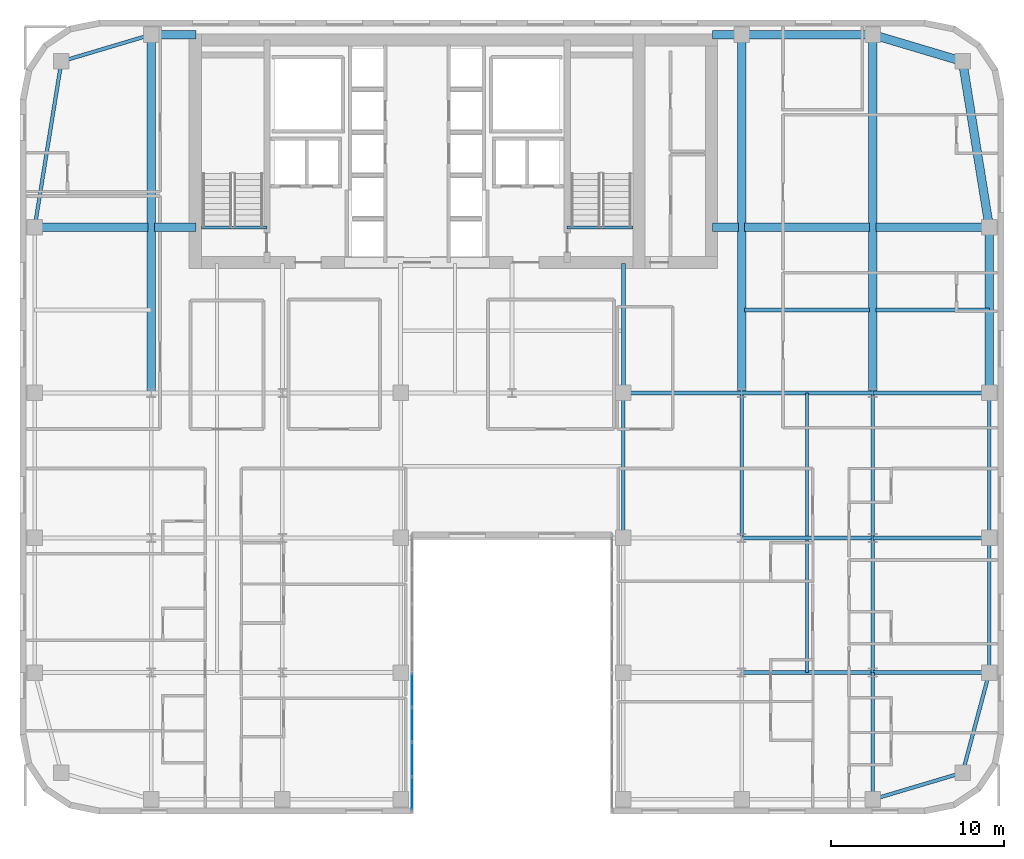
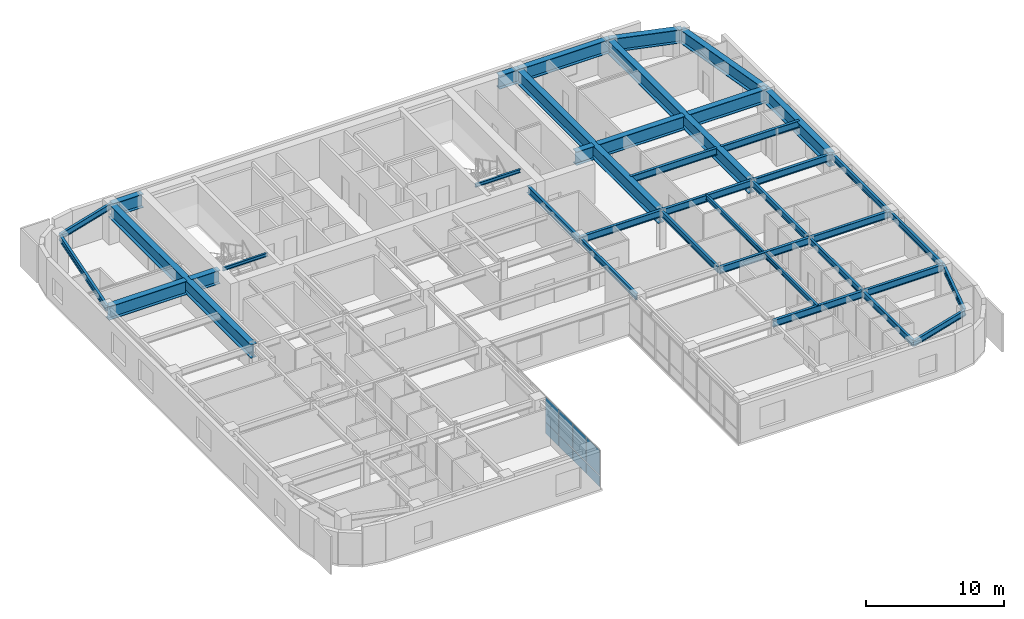
# One storey, part 8 of 17: 39 beams, 8 plates, 1 element without a shape of its own.
"""IFC4 building model written with IfcOpenShell, lengths in metres."""

from ifc_helpers import new_model, si_unit, direction, frame, origin, origin_2d, place, context, subcontext, project, spatial, rectangle, i_section, extrude, source, transform, mapped, material, layer, layer_set, material_profile, profile_set, type_object, type_shapes, element, aggregate, save


model = new_model("IFC4")

# Units and contexts
model_context = context("Model", 3, precision=1e-05, world=origin(), true_north=direction((0.0, 1.0)))
body_context = subcontext(model_context, "Body", "Model", "MODEL_VIEW")
ifc_project = project(units=[si_unit("LENGTHUNIT", "METRE"), si_unit("AREAUNIT", "SQUARE_METRE"), si_unit("VOLUMEUNIT", "CUBIC_METRE"), si_unit("PLANEANGLEUNIT", "RADIAN"), si_unit("MASSUNIT", "GRAM", prefix="KILO")], contexts=[model_context])

# Site, building, storey
site_placement = place(None, origin())
site = spatial("IfcSite", under=ifc_project, at=site_placement, CompositionType="ELEMENT")
building_placement = place(site_placement, origin())
building = spatial("IfcBuilding", under=site, at=building_placement, Name="Tolvann Quenvar Hotel", CompositionType="ELEMENT")
storey_placement = place(building_placement, frame((0.0, 0.0, 129.300048828125)))
storey = spatial("IfcBuildingStorey", under=building, at=storey_placement, Name="L33", CompositionType="ELEMENT", Elevation=129.300048828125)

# Beams
ifc_material_1 = material(Name="Steel Grade 350", Category="steel")
ifc_material_profile_1 = material_profile(ifc_material_1, i_section(OverallWidth=0.5, OverallDepth=1.199951171875, WebThickness=0.01611328125, FlangeThickness=0.0400390625, at=origin_2d()), Name="1200WB455")
ifc_profile_set_1 = profile_set([ifc_material_profile_1], Name="Steel Grade 350")
beam_type_1 = type_object("IfcBeamType", Name="BM_TG_1200WB455", PredefinedType="USERDEFINED", material=ifc_profile_set_1)
shared_shape_1 = source(origin(), body_context, "Body", "SweptSolid", [
    extrude(i_section(OverallWidth=0.5, OverallDepth=1.199951171875, WebThickness=0.01611328125, FlangeThickness=0.0400390625, at=origin_2d()), origin(), (0.0, 0.0, 1.0), 7.599853515625),
])
beam_1_placement = place(storey_placement, frame((49.39990234375, 45.14990234375, 2.77001953125), z_axis=(-1.0, 0.0, 0.0), x_axis=(0.0, -1.0, 0.0)))
element("IfcBeam", 1, at=beam_1_placement, inside=storey, type_object=beam_type_1, Name="BM-L33-FLK-E4", ObjectType="TRANSFER GIRDER", PredefinedType="USERDEFINED", context=body_context, shape_type="MappedRepresentation", body=[
    mapped(shared_shape_1, transform((0.0, 0.0, 0.0), x_axis=(1.0, 0.0, 0.0), y_axis=(0.0, 1.0, 0.0), z_axis=(0.0, 0.0, 1.0), scale=1.0)),
])
shared_shape_2 = source(origin(), body_context, "Body", "SweptSolid", [
    extrude(i_section(OverallWidth=0.5, OverallDepth=1.199951171875, WebThickness=0.01611328125, FlangeThickness=0.0400390625, at=origin_2d()), origin(), (0.0, 0.0, 1.0), 9.60009765625),
])
beam_2_placement = place(storey_placement, frame((56.14990234375, 24.39990234375, 2.77001953125), z_axis=(0.0, 1.0, 0.0), x_axis=(-1.0, 0.0, 0.0)))
element("IfcBeam", 2, at=beam_2_placement, inside=storey, type_object=beam_type_1, Name="BM-L33-FLK-E1", ObjectType="TRANSFER GIRDER", PredefinedType="USERDEFINED", context=body_context, shape_type="MappedRepresentation", body=[
    mapped(shared_shape_2, transform((0.0, 0.0, 0.0), x_axis=(1.0, 0.0, 0.0), y_axis=(0.0, 1.0, 0.0), z_axis=(0.0, 0.0, 1.0), scale=1.0)),
])
ifc_material_profile_2 = material_profile(ifc_material_1, i_section(OverallWidth=0.208984375, OverallDepth=0.528076171875, WebThickness=0.009521484375, FlangeThickness=0.01318359375, FilletRadius=0.013916015625, at=origin_2d()), Name="530UB82")
ifc_profile_set_2 = profile_set([ifc_material_profile_2], Name="Steel Grade 350")
beam_type_2 = type_object("IfcBeamType", Name="BM_SPAND_530UB82", PredefinedType="SPANDREL", material=ifc_profile_set_2)
shared_shape_3 = source(origin(), body_context, "Body", "SweptSolid", [
    extrude(i_section(OverallWidth=0.208984375, OverallDepth=0.528076171875, WebThickness=0.009521484375, FlangeThickness=0.01318359375, FilletRadius=0.013916015625, at=origin_2d()), origin(), (0.0, 0.0, 1.0), 5.42626953125),
])
for number, where, z_axis, x_axis, name in (
    (3, (49.39990234375, 0.85009765625, 3.10595703125), (0.958344815522, 0.285613750654, 0.0), (-0.285613750654, 0.958344815522, 0.0), "BM-L33-EW-2-I2-J2"),
    (4, (2.39990234375, 43.60009765625, 3.10595703125), (0.958344815522, 0.285613750654, 0.0), (-0.285613750654, 0.958344815522, 0.0), "BM-L33-FLK-W3"),
):
    element("IfcBeam", number, at=place(storey_placement, frame(where, z_axis=z_axis, x_axis=x_axis)), inside=storey, type_object=beam_type_2, Name=name, PredefinedType="SPANDREL", context=body_context, shape_type="MappedRepresentation", body=[
        mapped(shared_shape_3, transform((0.0, 0.0, 0.0), x_axis=(1.0, 0.0, 0.0), y_axis=(0.0, 1.0, 0.0), z_axis=(0.0, 0.0, 1.0), scale=1.0)),
    ])
ifc_material_profile_3 = material_profile(ifc_material_1, i_section(OverallWidth=0.22900390625, OverallDepth=0.612060546875, WebThickness=0.011962890625, FlangeThickness=0.01953125, FilletRadius=0.013916015625, at=origin_2d()), Name="610UB125")
ifc_profile_set_3 = profile_set([ifc_material_profile_3], Name="Steel Grade 350")
beam_type_3 = type_object("IfcBeamType", Name="BM_GIRD_610UB125", PredefinedType="BEAM", material=ifc_profile_set_3)
shared_shape_4 = source(origin(), body_context, "Body", "SweptSolid", [
    extrude(i_section(OverallWidth=0.22900390625, OverallDepth=0.612060546875, WebThickness=0.011962890625, FlangeThickness=0.01953125, FilletRadius=0.013916015625, at=origin_2d()), origin(), (0.0, 0.0, 1.0), 6.75),
])
for number, where, z_axis, x_axis, name in (
    (5, (49.39990234375, 8.199951171875, 3.06396484375), (1.0, 0.0, 0.0), (0.0, 1.0, 0.0), "BM-L33-EW-3-I3-J3"),
    (6, (49.39990234375, 16.0, 3.06396484375), (1.0, 0.0, 0.0), (0.0, 1.0, 0.0), "BM-L33-EW-4-I4-J4"),
    (7, (49.39990234375, 24.39990234375, 3.06396484375), (1.0, 0.0, 0.0), (0.0, 1.0, 0.0), "BM-L33-EW-5-I5-J5"),
):
    element("IfcBeam", number, at=place(storey_placement, frame(where, z_axis=z_axis, x_axis=x_axis)), inside=storey, type_object=beam_type_3, Name=name, PredefinedType="BEAM", context=body_context, shape_type="MappedRepresentation", body=[
        mapped(shared_shape_4, transform((0.0, 0.0, 0.0), x_axis=(1.0, 0.0, 0.0), y_axis=(0.0, 1.0, 0.0), z_axis=(0.0, 0.0, 1.0), scale=1.0)),
    ])
shared_shape_5 = source(origin(), body_context, "Body", "SweptSolid", [
    extrude(i_section(OverallWidth=0.22900390625, OverallDepth=0.612060546875, WebThickness=0.011962890625, FlangeThickness=0.01953125, FilletRadius=0.013916015625, at=origin_2d()), origin(), (0.0, 0.0, 1.0), 7.599853515625),
])
for number, where, z_axis, x_axis, name in (
    (8, (41.800048828125, 8.199951171875, 3.06396484375), (1.0, 0.0, 0.0), (0.0, 1.0, 0.0), "BM-L33-EW-3-H3-I3"),
    (9, (41.800048828125, 16.0, 3.06396484375), (1.0, 0.0, 0.0), (0.0, 1.0, 0.0), "BM-L33-EW-4-H4-I4"),
    (10, (41.800048828125, 24.39990234375, 3.06396484375), (1.0, 0.0, 0.0), (0.0, 1.0, 0.0), "BM-L33-EW-5-H5-I5"),
):
    element("IfcBeam", number, at=place(storey_placement, frame(where, z_axis=z_axis, x_axis=x_axis)), inside=storey, type_object=beam_type_3, Name=name, PredefinedType="BEAM", context=body_context, shape_type="MappedRepresentation", body=[
        mapped(shared_shape_5, transform((0.0, 0.0, 0.0), x_axis=(1.0, 0.0, 0.0), y_axis=(0.0, 1.0, 0.0), z_axis=(0.0, 0.0, 1.0), scale=1.0)),
    ])
shared_shape_6 = source(origin(), body_context, "Body", "SweptSolid", [
    extrude(i_section(OverallWidth=0.22900390625, OverallDepth=0.612060546875, WebThickness=0.011962890625, FlangeThickness=0.01953125, FilletRadius=0.013916015625, at=origin_2d()), origin(), (0.0, 0.0, 1.0), 6.85009765625),
])
beam_3_placement = place(storey_placement, frame((34.949951171875, 24.39990234375, 3.06396484375), z_axis=(1.0, 0.0, 0.0), x_axis=(0.0, 1.0, 0.0)))
element("IfcBeam", 11, at=beam_3_placement, inside=storey, type_object=beam_type_3, Name="BM-L33-EW-5-F5-H5", PredefinedType="BEAM", context=body_context, shape_type="MappedRepresentation", body=[
    mapped(shared_shape_6, transform((0.0, 0.0, 0.0), x_axis=(1.0, 0.0, 0.0), y_axis=(0.0, 1.0, 0.0), z_axis=(0.0, 0.0, 1.0), scale=1.0)),
])
shared_shape_7 = source(origin(), body_context, "Body", "SweptSolid", [
    extrude(i_section(OverallWidth=0.208984375, OverallDepth=0.528076171875, WebThickness=0.009521484375, FlangeThickness=0.01318359375, FilletRadius=0.013916015625, at=origin_2d()), origin(), (0.0, 0.0, 1.0), 6.00341796875),
])
beam_4_placement = place(storey_placement, frame((54.60009765625, 2.39990234375, 3.10595703125), z_axis=(0.258148586649, 0.966105225745, 0.0), x_axis=(-0.966105225745, 0.258148586649, 0.0)))
element("IfcBeam", 12, at=beam_4_placement, inside=storey, type_object=beam_type_2, Name="BM-L33-NS-J2-J3", PredefinedType="SPANDREL", context=body_context, shape_type="MappedRepresentation", body=[
    mapped(shared_shape_7, transform((0.0, 0.0, 0.0), x_axis=(1.0, 0.0, 0.0), y_axis=(0.0, 1.0, 0.0), z_axis=(0.0, 0.0, 1.0), scale=1.0)),
])
shared_shape_8 = source(origin(), body_context, "Body", "SweptSolid", [
    extrude(i_section(OverallWidth=0.208984375, OverallDepth=0.528076171875, WebThickness=0.009521484375, FlangeThickness=0.01318359375, FilletRadius=0.013916015625, at=origin_2d()), origin(), (0.0, 0.0, 1.0), 7.800048828125),
])
beam_5_placement = place(storey_placement, frame((56.14990234375, 8.199951171875, 3.10595703125), z_axis=(0.0, 1.0, 0.0), x_axis=(-1.0, 0.0, 0.0)))
element("IfcBeam", 13, at=beam_5_placement, inside=storey, type_object=beam_type_2, Name="BM-L33-NS-J3-J4", PredefinedType="SPANDREL", context=body_context, shape_type="MappedRepresentation", body=[
    mapped(shared_shape_8, transform((0.0, 0.0, 0.0), x_axis=(1.0, 0.0, 0.0), y_axis=(0.0, 1.0, 0.0), z_axis=(0.0, 0.0, 1.0), scale=1.0)),
])
shared_shape_9 = source(origin(), body_context, "Body", "SweptSolid", [
    extrude(i_section(OverallWidth=0.208984375, OverallDepth=0.528076171875, WebThickness=0.009521484375, FlangeThickness=0.01318359375, FilletRadius=0.013916015625, at=origin_2d()), origin(), (0.0, 0.0, 1.0), 8.39990234375),
])
beam_6_placement = place(storey_placement, frame((56.14990234375, 16.0, 3.10595703125), z_axis=(0.0, 1.0, 0.0), x_axis=(-1.0, 0.0, 0.0)))
element("IfcBeam", 14, at=beam_6_placement, inside=storey, type_object=beam_type_2, Name="BM-L33-NS-J4-J5", PredefinedType="SPANDREL", context=body_context, shape_type="MappedRepresentation", body=[
    mapped(shared_shape_9, transform((0.0, 0.0, 0.0), x_axis=(1.0, 0.0, 0.0), y_axis=(0.0, 1.0, 0.0), z_axis=(0.0, 0.0, 1.0), scale=1.0)),
])
ifc_material_profile_4 = material_profile(ifc_material_1, i_section(OverallWidth=0.208984375, OverallDepth=0.532958984375, WebThickness=0.01025390625, FlangeThickness=0.015625, FilletRadius=0.013916015625, at=origin_2d()), Name="530UB92")
ifc_profile_set_4 = profile_set([ifc_material_profile_4], Name="Steel Grade 350")
beam_type_4 = type_object("IfcBeamType", Name="BM_GIRD_530UB92", PredefinedType="BEAM", material=ifc_profile_set_4)
shared_shape_10 = source(origin(), body_context, "Body", "SweptSolid", [
    extrude(i_section(OverallWidth=0.208984375, OverallDepth=0.532958984375, WebThickness=0.01025390625, FlangeThickness=0.015625, FilletRadius=0.013916015625, at=origin_2d()), origin(), (0.0, 0.0, 1.0), 7.349853515625),
])
beam_7_placement = place(storey_placement, frame((49.39990234375, 0.85009765625, 3.103515625), z_axis=(0.0, 1.0, 0.0), x_axis=(-1.0, 0.0, 0.0)))
element("IfcBeam", 15, at=beam_7_placement, inside=storey, type_object=beam_type_4, Name="BM-L33-NS-I2-I3", PredefinedType="BEAM", context=body_context, shape_type="MappedRepresentation", body=[
    mapped(shared_shape_10, transform((0.0, 0.0, 0.0), x_axis=(1.0, 0.0, 0.0), y_axis=(0.0, 1.0, 0.0), z_axis=(0.0, 0.0, 1.0), scale=1.0)),
])
shared_shape_11 = source(origin(), body_context, "Body", "SweptSolid", [
    extrude(i_section(OverallWidth=0.208984375, OverallDepth=0.532958984375, WebThickness=0.01025390625, FlangeThickness=0.015625, FilletRadius=0.013916015625, at=origin_2d()), origin(), (0.0, 0.0, 1.0), 7.800048828125),
])
beam_8_placement = place(storey_placement, frame((49.39990234375, 8.199951171875, 3.103515625), z_axis=(0.0, 1.0, 0.0), x_axis=(-1.0, 0.0, 0.0)))
element("IfcBeam", 16, at=beam_8_placement, inside=storey, type_object=beam_type_4, Name="BM-L33-NS-I3-I4", PredefinedType="BEAM", context=body_context, shape_type="MappedRepresentation", body=[
    mapped(shared_shape_11, transform((0.0, 0.0, 0.0), x_axis=(1.0, 0.0, 0.0), y_axis=(0.0, 1.0, 0.0), z_axis=(0.0, 0.0, 1.0), scale=1.0)),
])
shared_shape_12 = source(origin(), body_context, "Body", "SweptSolid", [
    extrude(i_section(OverallWidth=0.208984375, OverallDepth=0.532958984375, WebThickness=0.01025390625, FlangeThickness=0.015625, FilletRadius=0.013916015625, at=origin_2d()), origin(), (0.0, 0.0, 1.0), 8.39990234375),
])
type_shapes(beam_type_4, [shared_shape_10, shared_shape_11, shared_shape_12])
for number, where, z_axis, x_axis, name in (
    (17, (34.949951171875, 16.0, 3.103515625), (0.0, 1.0, 0.0), (-1.0, 0.0, 0.0), "BM-L33-NS-F4-F5"),
    (18, (41.800048828125, 16.0, 3.103515625), (0.0, 1.0, 0.0), (-1.0, 0.0, 0.0), "BM-L33-NS-H4-H5"),
    (19, (49.39990234375, 16.0, 3.103515625), (0.0, 1.0, 0.0), (-1.0, 0.0, 0.0), "BM-L33-NS-I4-I5"),
):
    element("IfcBeam", number, at=place(storey_placement, frame(where, z_axis=z_axis, x_axis=x_axis)), inside=storey, type_object=beam_type_4, Name=name, PredefinedType="BEAM", context=body_context, shape_type="MappedRepresentation", body=[
        mapped(shared_shape_12, transform((0.0, 0.0, 0.0), x_axis=(1.0, 0.0, 0.0), y_axis=(0.0, 1.0, 0.0), z_axis=(0.0, 0.0, 1.0), scale=1.0)),
    ])
shared_shape_13 = source(origin(), body_context, "Body", "SweptSolid", [
    extrude(i_section(OverallWidth=0.22900390625, OverallDepth=0.612060546875, WebThickness=0.011962890625, FlangeThickness=0.01953125, FilletRadius=0.013916015625, at=origin_2d()), origin(), (0.0, 0.0, 1.0), 7.5),
])
beam_9_placement = place(storey_placement, frame((34.949951171875, 24.39990234375, 3.06396484375), z_axis=(0.0, 1.0, 0.0), x_axis=(-1.0, 0.0, 0.0)))
element("IfcBeam", 20, at=beam_9_placement, inside=storey, type_object=beam_type_3, Name="BM-L33-CORE-F5", PredefinedType="BEAM", context=body_context, shape_type="MappedRepresentation", body=[
    mapped(shared_shape_13, transform((0.0, 0.0, 0.0), x_axis=(1.0, 0.0, 0.0), y_axis=(0.0, 1.0, 0.0), z_axis=(0.0, 0.0, 1.0), scale=1.0)),
])
shared_shape_14 = source(origin(), body_context, "Body", "SweptSolid", [
    extrude(i_section(OverallWidth=0.208984375, OverallDepth=0.528076171875, WebThickness=0.009521484375, FlangeThickness=0.01318359375, FilletRadius=0.013916015625, at=origin_2d()), origin(), (0.0, 0.0, 1.0), 9.724365234375),
])
type_shapes(beam_type_2, [shared_shape_3, shared_shape_7, shared_shape_8, shared_shape_9, shared_shape_14])
beam_10_placement = place(storey_placement, frame((0.85009765625, 34.0, 3.10595703125), z_axis=(0.159372939192, 0.987218449105, 0.0), x_axis=(-0.987218449105, 0.159372939192, 0.0)))
element("IfcBeam", 21, at=beam_10_placement, inside=storey, type_object=beam_type_2, Name="BM-L33-FLK-W2", PredefinedType="SPANDREL", context=body_context, shape_type="MappedRepresentation", body=[
    mapped(shared_shape_14, transform((0.0, 0.0, 0.0), x_axis=(1.0, 0.0, 0.0), y_axis=(0.0, 1.0, 0.0), z_axis=(0.0, 0.0, 1.0), scale=1.0)),
])
shared_shape_15 = source(origin(), body_context, "Body", "SweptSolid", [
    extrude(i_section(OverallWidth=0.5, OverallDepth=1.199951171875, WebThickness=0.01611328125, FlangeThickness=0.0400390625, at=origin_2d()), origin(), (0.0, 0.0, 1.0), 20.75),
])
for number, where, z_axis, x_axis, name in (
    (22, (7.60009765625, 24.39990234375, 2.77001953125), (0.0, 1.0, 0.0), (-1.0, 0.0, 0.0), "BM-L33-FLK-WC"),
    (23, (41.800048828125, 24.39990234375, 2.77001953125), (0.0, 1.0, 0.0), (-1.0, 0.0, 0.0), "BM-L33-FLK-EH"),
    (24, (49.39990234375, 24.39990234375, 2.77001953125), (0.0, 1.0, 0.0), (-1.0, 0.0, 0.0), "BM-L33-FLK-EI"),
):
    element("IfcBeam", number, at=place(storey_placement, frame(where, z_axis=z_axis, x_axis=x_axis)), inside=storey, type_object=beam_type_1, Name=name, ObjectType="TRANSFER GIRDER", PredefinedType="USERDEFINED", context=body_context, shape_type="MappedRepresentation", body=[
        mapped(shared_shape_15, transform((0.0, 0.0, 0.0), x_axis=(1.0, 0.0, 0.0), y_axis=(0.0, 1.0, 0.0), z_axis=(0.0, 0.0, 1.0), scale=1.0)),
    ])
shared_shape_16 = source(origin(), body_context, "Body", "SweptSolid", [
    extrude(i_section(OverallWidth=0.5, OverallDepth=1.199951171875, WebThickness=0.01611328125, FlangeThickness=0.0400390625, at=origin_2d()), origin(), (0.0, 0.0, 1.0), 6.56982421875),
])
for number, where, z_axis, x_axis, name in (
    (25, (0.85009765625, 34.0, 2.77001953125), (1.0, 0.0, 0.0), (0.0, 1.0, 0.0), "BM-L33-CTW-MID1"),
    (26, (49.580078125, 34.0, 2.77001953125), (1.0, 0.0, 0.0), (0.0, 1.0, 0.0), "BM-L33-CTE-JD6C"),
):
    element("IfcBeam", number, at=place(storey_placement, frame(where, z_axis=z_axis, x_axis=x_axis)), inside=storey, type_object=beam_type_1, Name=name, ObjectType="TRANSFER GIRDER", PredefinedType="USERDEFINED", context=body_context, shape_type="MappedRepresentation", body=[
        mapped(shared_shape_16, transform((0.0, 0.0, 0.0), x_axis=(1.0, 0.0, 0.0), y_axis=(0.0, 1.0, 0.0), z_axis=(0.0, 0.0, 1.0), scale=1.0)),
    ])
shared_shape_17 = source(origin(), body_context, "Body", "SweptSolid", [
    extrude(i_section(OverallWidth=0.5, OverallDepth=1.199951171875, WebThickness=0.01611328125, FlangeThickness=0.0400390625, at=origin_2d()), origin(), (0.0, 0.0, 1.0), 2.419921875),
])
beam_11_placement = place(storey_placement, frame((7.780029296875, 34.0, 2.77001953125), z_axis=(1.0, 0.0, 0.0), x_axis=(0.0, 1.0, 0.0)))
element("IfcBeam", 27, at=beam_11_placement, inside=storey, type_object=beam_type_1, Name="BM-L33-CTW-MID2", ObjectType="TRANSFER GIRDER", PredefinedType="USERDEFINED", context=body_context, shape_type="MappedRepresentation", body=[
    mapped(shared_shape_17, transform((0.0, 0.0, 0.0), x_axis=(1.0, 0.0, 0.0), y_axis=(0.0, 1.0, 0.0), z_axis=(0.0, 0.0, 1.0), scale=1.0)),
])
shared_shape_18 = source(origin(), body_context, "Body", "SweptSolid", [
    extrude(i_section(OverallWidth=0.5, OverallDepth=1.199951171875, WebThickness=0.01611328125, FlangeThickness=0.0400390625, at=origin_2d()), origin(), (0.0, 0.0, 1.0), 2.599853515625),
])
beam_12_placement = place(storey_placement, frame((7.60009765625, 45.14990234375, 2.77001953125), z_axis=(1.0, 0.0, 0.0), x_axis=(0.0, 1.0, 0.0)))
element("IfcBeam", 28, at=beam_12_placement, inside=storey, type_object=beam_type_1, Name="BM-L33-CTW-CN", ObjectType="TRANSFER GIRDER", PredefinedType="USERDEFINED", context=body_context, shape_type="MappedRepresentation", body=[
    mapped(shared_shape_18, transform((0.0, 0.0, 0.0), x_axis=(1.0, 0.0, 0.0), y_axis=(0.0, 1.0, 0.0), z_axis=(0.0, 0.0, 1.0), scale=1.0)),
])
shared_shape_19 = source(origin(), body_context, "Body", "SweptSolid", [
    extrude(i_section(OverallWidth=0.5, OverallDepth=1.199951171875, WebThickness=0.01611328125, FlangeThickness=0.0400390625, at=origin_2d()), origin(), (0.0, 0.0, 1.0), 9.724365234375),
])
beam_13_placement = place(storey_placement, frame((56.14990234375, 34.0, 2.77001953125), z_axis=(-0.159372939192, 0.987218449105, 0.0), x_axis=(-0.987218449105, -0.159372939192, 0.0)))
element("IfcBeam", 29, at=beam_13_placement, inside=storey, type_object=beam_type_1, Name="BM-L33-FLK-E2", ObjectType="TRANSFER GIRDER", PredefinedType="USERDEFINED", context=body_context, shape_type="MappedRepresentation", body=[
    mapped(shared_shape_19, transform((0.0, 0.0, 0.0), x_axis=(1.0, 0.0, 0.0), y_axis=(0.0, 1.0, 0.0), z_axis=(0.0, 0.0, 1.0), scale=1.0)),
])
shared_shape_20 = source(origin(), body_context, "Body", "SweptSolid", [
    extrude(i_section(OverallWidth=0.5, OverallDepth=1.199951171875, WebThickness=0.01611328125, FlangeThickness=0.0400390625, at=origin_2d()), origin(), (0.0, 0.0, 1.0), 5.42626953125),
])
beam_14_placement = place(storey_placement, frame((54.60009765625, 43.60009765625, 2.77001953125), z_axis=(-0.958344815522, 0.285613750654, 0.0), x_axis=(-0.285613750654, -0.958344815522, 0.0)))
element("IfcBeam", 30, at=beam_14_placement, inside=storey, type_object=beam_type_1, Name="BM-L33-FLK-E3", ObjectType="TRANSFER GIRDER", PredefinedType="USERDEFINED", context=body_context, shape_type="MappedRepresentation", body=[
    mapped(shared_shape_20, transform((0.0, 0.0, 0.0), x_axis=(1.0, 0.0, 0.0), y_axis=(0.0, 1.0, 0.0), z_axis=(0.0, 0.0, 1.0), scale=1.0)),
])
shared_shape_21 = source(origin(), body_context, "Body", "SweptSolid", [
    extrude(i_section(OverallWidth=0.5, OverallDepth=1.199951171875, WebThickness=0.01611328125, FlangeThickness=0.0400390625, at=origin_2d()), origin(), (0.0, 0.0, 1.0), 1.699951171875),
])
beam_15_placement = place(storey_placement, frame((40.10009765625, 45.14990234375, 2.77001953125), z_axis=(1.0, 0.0, 0.0), x_axis=(0.0, 1.0, 0.0)))
element("IfcBeam", 31, at=beam_15_placement, inside=storey, type_object=beam_type_1, Name="BM-L33-CTE-HN", ObjectType="TRANSFER GIRDER", PredefinedType="USERDEFINED", context=body_context, shape_type="MappedRepresentation", body=[
    mapped(shared_shape_21, transform((0.0, 0.0, 0.0), x_axis=(1.0, 0.0, 0.0), y_axis=(0.0, 1.0, 0.0), z_axis=(0.0, 0.0, 1.0), scale=1.0)),
])
shared_shape_22 = source(origin(), body_context, "Body", "SweptSolid", [
    extrude(i_section(OverallWidth=0.5, OverallDepth=1.199951171875, WebThickness=0.01611328125, FlangeThickness=0.0400390625, at=origin_2d()), origin(), (0.0, 0.0, 1.0), 1.52001953125),
])
beam_16_placement = place(storey_placement, frame((40.10009765625, 34.0, 2.77001953125), z_axis=(1.0, 0.0, 0.0), x_axis=(0.0, 1.0, 0.0)))
element("IfcBeam", 32, at=beam_16_placement, inside=storey, type_object=beam_type_1, Name="BM-L33-CTE-JD6A", ObjectType="TRANSFER GIRDER", PredefinedType="USERDEFINED", context=body_context, shape_type="MappedRepresentation", body=[
    mapped(shared_shape_22, transform((0.0, 0.0, 0.0), x_axis=(1.0, 0.0, 0.0), y_axis=(0.0, 1.0, 0.0), z_axis=(0.0, 0.0, 1.0), scale=1.0)),
])
shared_shape_23 = source(origin(), body_context, "Body", "SweptSolid", [
    extrude(i_section(OverallWidth=0.5, OverallDepth=1.199951171875, WebThickness=0.01611328125, FlangeThickness=0.0400390625, at=origin_2d()), origin(), (0.0, 0.0, 1.0), 7.239990234375),
])
type_shapes(beam_type_1, [shared_shape_1, shared_shape_2, shared_shape_15, shared_shape_16, shared_shape_17, shared_shape_18, shared_shape_19, shared_shape_20, shared_shape_21, shared_shape_22, shared_shape_23])
beam_17_placement = place(storey_placement, frame((41.97998046875, 34.0, 2.77001953125), z_axis=(1.0, 0.0, 0.0), x_axis=(0.0, 1.0, 0.0)))
element("IfcBeam", 33, at=beam_17_placement, inside=storey, type_object=beam_type_1, Name="BM-L33-CTE-JD6B", ObjectType="TRANSFER GIRDER", PredefinedType="USERDEFINED", context=body_context, shape_type="MappedRepresentation", body=[
    mapped(shared_shape_23, transform((0.0, 0.0, 0.0), x_axis=(1.0, 0.0, 0.0), y_axis=(0.0, 1.0, 0.0), z_axis=(0.0, 0.0, 1.0), scale=1.0)),
])
shared_shape_24 = source(origin(), body_context, "Body", "SweptSolid", [
    extrude(i_section(OverallWidth=0.22900390625, OverallDepth=0.612060546875, WebThickness=0.011962890625, FlangeThickness=0.01953125, FilletRadius=0.013916015625, at=origin_2d()), origin(), (0.0, 0.0, 1.0), 7.239990234375),
])
beam_18_placement = place(storey_placement, frame((41.97998046875, 29.199951171875, 3.06396484375), z_axis=(1.0, 0.0, 0.0), x_axis=(0.0, 1.0, 0.0)))
element("IfcBeam", 34, at=beam_18_placement, inside=storey, type_object=beam_type_3, Name="BM-L33-EW-HI29", PredefinedType="BEAM", context=body_context, shape_type="MappedRepresentation", body=[
    mapped(shared_shape_24, transform((0.0, 0.0, 0.0), x_axis=(1.0, 0.0, 0.0), y_axis=(0.0, 1.0, 0.0), z_axis=(0.0, 0.0, 1.0), scale=1.0)),
])
shared_shape_25 = source(origin(), body_context, "Body", "SweptSolid", [
    extrude(i_section(OverallWidth=0.22900390625, OverallDepth=0.612060546875, WebThickness=0.011962890625, FlangeThickness=0.01953125, FilletRadius=0.013916015625, at=origin_2d()), origin(), (0.0, 0.0, 1.0), 6.56982421875),
])
type_shapes(beam_type_3, [shared_shape_4, shared_shape_5, shared_shape_6, shared_shape_13, shared_shape_24, shared_shape_25])
beam_19_placement = place(storey_placement, frame((49.580078125, 29.199951171875, 3.06396484375), z_axis=(1.0, 0.0, 0.0), x_axis=(0.0, 1.0, 0.0)))
element("IfcBeam", 35, at=beam_19_placement, inside=storey, type_object=beam_type_3, Name="BM-L33-EW-IJ29", PredefinedType="BEAM", context=body_context, shape_type="MappedRepresentation", body=[
    mapped(shared_shape_25, transform((0.0, 0.0, 0.0), x_axis=(1.0, 0.0, 0.0), y_axis=(0.0, 1.0, 0.0), z_axis=(0.0, 0.0, 1.0), scale=1.0)),
])
ifc_material_profile_5 = material_profile(ifc_material_1, i_section(OverallWidth=0.177978515625, OverallDepth=0.406005859375, WebThickness=0.0078125, FlangeThickness=0.0126953125, FilletRadius=0.011474609375, at=origin_2d()), Name="410UB60")
ifc_profile_set_5 = profile_set([ifc_material_profile_5], Name="Steel Grade 350")
beam_type_5 = type_object("IfcBeamType", Name="BM_JOIST_410UB60", PredefinedType="JOIST", material=ifc_profile_set_5)
shared_shape_26 = source(origin(), body_context, "Body", "SweptSolid", [
    extrude(i_section(OverallWidth=0.177978515625, OverallDepth=0.406005859375, WebThickness=0.0078125, FlangeThickness=0.0126953125, FilletRadius=0.011474609375, at=origin_2d()), origin(), (0.0, 0.0, 1.0), 7.691650390625),
])
beam_20_placement = place(storey_placement, frame((45.60009765625, 8.199951171875, 3.1669921875), z_axis=(0.0, 1.0, 0.0), x_axis=(-1.0, 0.0, 0.0)))
element("IfcBeam", 36, at=beam_20_placement, inside=storey, type_object=beam_type_5, Name="BJ-L33-456-82", PredefinedType="JOIST", context=body_context, shape_type="MappedRepresentation", body=[
    mapped(shared_shape_26, transform((0.0, 0.0, 0.0), x_axis=(1.0, 0.0, 0.0), y_axis=(0.0, 1.0, 0.0), z_axis=(0.0, 0.0, 1.0), scale=1.0)),
])
shared_shape_27 = source(origin(), body_context, "Body", "SweptSolid", [
    extrude(i_section(OverallWidth=0.177978515625, OverallDepth=0.406005859375, WebThickness=0.0078125, FlangeThickness=0.0126953125, FilletRadius=0.011474609375, at=origin_2d()), origin(), (0.0, 0.0, 1.0), 8.29150390625),
])
type_shapes(beam_type_5, [shared_shape_26, shared_shape_27])
beam_21_placement = place(storey_placement, frame((45.60009765625, 16.1083984375, 3.1669921875), z_axis=(0.0, 1.0, 0.0), x_axis=(-1.0, 0.0, 0.0)))
element("IfcBeam", 37, at=beam_21_placement, inside=storey, type_object=beam_type_5, Name="BJ-L33-456-160", PredefinedType="JOIST", context=body_context, shape_type="MappedRepresentation", body=[
    mapped(shared_shape_27, transform((0.0, 0.0, 0.0), x_axis=(1.0, 0.0, 0.0), y_axis=(0.0, 1.0, 0.0), z_axis=(0.0, 0.0, 1.0), scale=1.0)),
])
ifc_material_profile_6 = material_profile(ifc_material_1, i_section(OverallWidth=0.166015625, OverallDepth=0.306884765625, WebThickness=0.006591796875, FlangeThickness=0.01171875, FilletRadius=0.011474609375, at=origin_2d()), Name="310UB46")
ifc_profile_set_6 = profile_set([ifc_material_profile_6], Name="Steel Grade 350")
beam_type_6 = type_object("IfcBeamType", Name="BM_JOIST_310UB46", PredefinedType="JOIST", material=ifc_profile_set_6)
shared_shape_28 = source(origin(), body_context, "Body", "SweptSolid", [
    extrude(i_section(OverallWidth=0.166015625, OverallDepth=0.306884765625, WebThickness=0.006591796875, FlangeThickness=0.01171875, FilletRadius=0.011474609375, at=origin_2d()), origin(), (0.0, 0.0, 1.0), 3.800048828125),
])
type_shapes(beam_type_6, [shared_shape_28])
for number, where, z_axis, x_axis, name in (
    (38, (10.5, 33.97998046875, 3.216552734375), (1.0, 0.0, 0.0), (0.0, 1.0, 0.0), "BM-HDR-STC1-L34"),
    (39, (31.699951171875, 33.97998046875, 3.216552734375), (1.0, 0.0, 0.0), (0.0, 1.0, 0.0), "BM-HDR-STC2-L34"),
):
    element("IfcBeam", number, at=place(storey_placement, frame(where, z_axis=z_axis, x_axis=x_axis)), inside=storey, type_object=beam_type_6, Name=name, PredefinedType="JOIST", context=body_context, shape_type="MappedRepresentation", body=[
        mapped(shared_shape_28, transform((0.0, 0.0, 0.0), x_axis=(1.0, 0.0, 0.0), y_axis=(0.0, 1.0, 0.0), z_axis=(0.0, 0.0, 1.0), scale=1.0)),
    ])

# Curtain wall, plates
ifc_material_2 = material(Name="Thermally broken anodised architectural aluminium 6063-T6 and laminated low-E glass", Category="aluminium")
ifc_layer_1 = layer(ifc_material_2, 0.179931640625)
ifc_layer_set_1 = layer_set([ifc_layer_1], Name="Thermally broken anodised architectural aluminium 6063-T6 and laminated low-E glass")
curtain_wall_type = type_object("IfcCurtainWallType", Name="CW_SYS_SLOT_03", PredefinedType="USERDEFINED", material=ifc_layer_set_1)
curtain_wall_placement = place(storey_placement, origin())
curtain_wall = element("IfcCurtainWall", 40, at=curtain_wall_placement, inside=storey, type_object=curtain_wall_type, Name="Curtain Wall CW-SLOT-03 (CWR-L33-E05)", ObjectType="UNITISED CURTAIN WALL", PredefinedType="USERDEFINED")
ifc_material_3 = material(Name="Low-iron laminated double glazing with solar-control coating", Category="glass")
ifc_layer_2 = layer(ifc_material_3, 0.028076171875)
ifc_layer_set_2 = layer_set([ifc_layer_2], Name="Low-iron laminated double glazing with solar-control coating")
plate_type = type_object("IfcPlateType", Name="CW_PAN_VISION_28", PredefinedType="CURTAIN_PANEL", material=ifc_layer_set_2)
shared_shape_29 = source(origin(), body_context, "Body", "SweptSolid", [
    extrude(rectangle(XDim=1.89501953125, YDim=0.028076171875, at=origin_2d()), origin(), (0.0, 0.0, 1.0), 0.9599609375),
])
plate_1_placement = place(storey_placement, frame((22.7099609375, 1.1923828125, 0.06005859375), z_axis=(0.0, 0.0, 1.0), x_axis=(0.0, 1.0, 0.0)))
plate_1 = element("IfcPlate", 41, at=plate_1_placement, type_object=plate_type, Name="CW-SLOT-03 panel 1.1", PredefinedType="CURTAIN_PANEL", context=body_context, shape_type="MappedRepresentation", body=[
    mapped(shared_shape_29, transform((0.0, 0.0, 0.0), x_axis=(1.0, 0.0, 0.0), y_axis=(0.0, 1.0, 0.0), z_axis=(0.0, 0.0, 1.0), scale=1.0)),
])
shared_shape_30 = source(origin(), body_context, "Body", "SweptSolid", [
    extrude(rectangle(XDim=1.89501953125, YDim=0.028076171875, at=origin_2d()), origin(), (0.0, 0.0, 1.0), 2.22998046875),
])
plate_2_placement = place(storey_placement, frame((22.7099609375, 1.1923828125, 1.080078125), z_axis=(0.0, 0.0, 1.0), x_axis=(0.0, 1.0, 0.0)))
plate_2 = element("IfcPlate", 42, at=plate_2_placement, type_object=plate_type, Name="CW-SLOT-03 panel 1.2", PredefinedType="CURTAIN_PANEL", context=body_context, shape_type="MappedRepresentation", body=[
    mapped(shared_shape_30, transform((0.0, 0.0, 0.0), x_axis=(1.0, 0.0, 0.0), y_axis=(0.0, 1.0, 0.0), z_axis=(0.0, 0.0, 1.0), scale=1.0)),
])
shared_shape_31 = source(origin(), body_context, "Body", "SweptSolid", [
    extrude(rectangle(XDim=1.929931640625, YDim=0.028076171875, at=origin_2d()), origin(), (0.0, 0.0, 1.0), 0.9599609375),
])
plate_3_placement = place(storey_placement, frame((22.7099609375, 3.175048828125, 0.06005859375), z_axis=(0.0, 0.0, 1.0), x_axis=(0.0, 1.0, 0.0)))
plate_3 = element("IfcPlate", 43, at=plate_3_placement, type_object=plate_type, Name="CW-SLOT-03 panel 2.1", PredefinedType="CURTAIN_PANEL", context=body_context, shape_type="MappedRepresentation", body=[
    mapped(shared_shape_31, transform((0.0, 0.0, 0.0), x_axis=(1.0, 0.0, 0.0), y_axis=(0.0, 1.0, 0.0), z_axis=(0.0, 0.0, 1.0), scale=1.0)),
])
plate_4_placement = place(storey_placement, frame((22.7099609375, 5.175048828125, 0.06005859375), z_axis=(0.0, 0.0, 1.0), x_axis=(0.0, 1.0, 0.0)))
plate_4 = element("IfcPlate", 44, at=plate_4_placement, type_object=plate_type, Name="CW-SLOT-03 panel 3.1", PredefinedType="CURTAIN_PANEL", context=body_context, shape_type="MappedRepresentation", body=[
    mapped(shared_shape_31, transform((0.0, 0.0, 0.0), x_axis=(1.0, 0.0, 0.0), y_axis=(0.0, 1.0, 0.0), z_axis=(0.0, 0.0, 1.0), scale=1.0)),
])
plate_5_placement = place(storey_placement, frame((22.7099609375, 7.175048828125, 0.06005859375), z_axis=(0.0, 0.0, 1.0), x_axis=(0.0, 1.0, 0.0)))
plate_5 = element("IfcPlate", 45, at=plate_5_placement, type_object=plate_type, Name="CW-SLOT-03 panel 4.1", PredefinedType="CURTAIN_PANEL", context=body_context, shape_type="MappedRepresentation", body=[
    mapped(shared_shape_31, transform((0.0, 0.0, 0.0), x_axis=(1.0, 0.0, 0.0), y_axis=(0.0, 1.0, 0.0), z_axis=(0.0, 0.0, 1.0), scale=1.0)),
])
shared_shape_32 = source(origin(), body_context, "Body", "SweptSolid", [
    extrude(rectangle(XDim=1.929931640625, YDim=0.028076171875, at=origin_2d()), origin(), (0.0, 0.0, 1.0), 2.22998046875),
])
type_shapes(plate_type, [shared_shape_29, shared_shape_30, shared_shape_31, shared_shape_32])
plate_6_placement = place(storey_placement, frame((22.7099609375, 3.175048828125, 1.080078125), z_axis=(0.0, 0.0, 1.0), x_axis=(0.0, 1.0, 0.0)))
plate_6 = element("IfcPlate", 46, at=plate_6_placement, type_object=plate_type, Name="CW-SLOT-03 panel 2.2", PredefinedType="CURTAIN_PANEL", context=body_context, shape_type="MappedRepresentation", body=[
    mapped(shared_shape_32, transform((0.0, 0.0, 0.0), x_axis=(1.0, 0.0, 0.0), y_axis=(0.0, 1.0, 0.0), z_axis=(0.0, 0.0, 1.0), scale=1.0)),
])
plate_7_placement = place(storey_placement, frame((22.7099609375, 5.175048828125, 1.080078125), z_axis=(0.0, 0.0, 1.0), x_axis=(0.0, 1.0, 0.0)))
plate_7 = element("IfcPlate", 47, at=plate_7_placement, type_object=plate_type, Name="CW-SLOT-03 panel 3.2", PredefinedType="CURTAIN_PANEL", context=body_context, shape_type="MappedRepresentation", body=[
    mapped(shared_shape_32, transform((0.0, 0.0, 0.0), x_axis=(1.0, 0.0, 0.0), y_axis=(0.0, 1.0, 0.0), z_axis=(0.0, 0.0, 1.0), scale=1.0)),
])
plate_8_placement = place(storey_placement, frame((22.7099609375, 7.175048828125, 1.080078125), z_axis=(0.0, 0.0, 1.0), x_axis=(0.0, 1.0, 0.0)))
plate_8 = element("IfcPlate", 48, at=plate_8_placement, type_object=plate_type, Name="CW-SLOT-03 panel 4.2", PredefinedType="CURTAIN_PANEL", context=body_context, shape_type="MappedRepresentation", body=[
    mapped(shared_shape_32, transform((0.0, 0.0, 0.0), x_axis=(1.0, 0.0, 0.0), y_axis=(0.0, 1.0, 0.0), z_axis=(0.0, 0.0, 1.0), scale=1.0)),
])
aggregate(curtain_wall, [plate_1, plate_2, plate_3, plate_6, plate_4, plate_7, plate_5, plate_8])

save(model, "model.ifc")
